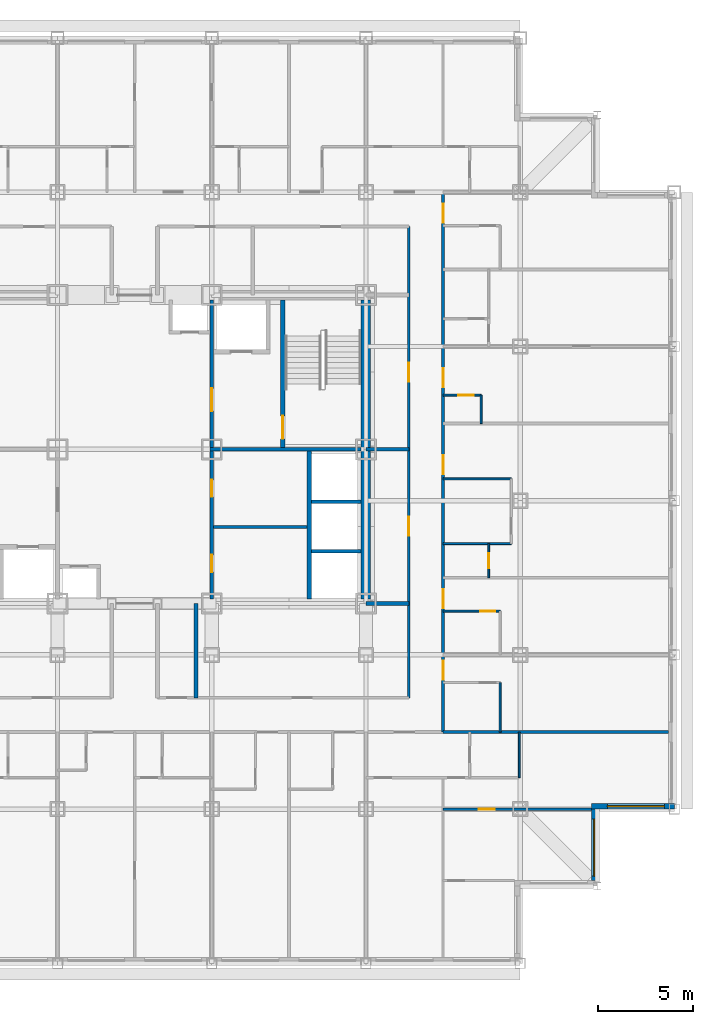
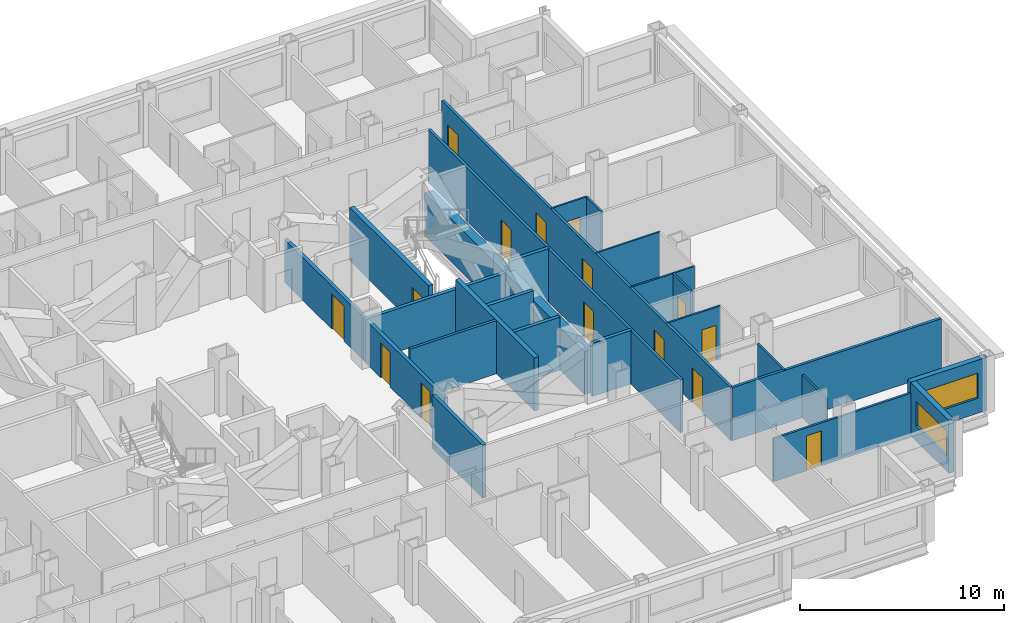
# One storey, part 8 of 13: 26 walls, 15 doors, 2 windows, 17 openings.
"""IFC4 building model written with IfcOpenShell, lengths in metres."""

from ifc_helpers import new_model, si_unit, direction, frame, frame_2d, origin, place, context, subcontext, project, spatial, rectangle, extrude, material, layer, layer_set, type_object, element, fill, save


model = new_model("IFC4")

# Units and contexts
model_context = context("Model", 3, precision=1e-05, world=origin(), true_north=direction((0.0, 1.0)))
body_context = subcontext(model_context, "Body", "Model", "MODEL_VIEW")
ifc_project = project(units=[si_unit("LENGTHUNIT", "METRE"), si_unit("AREAUNIT", "SQUARE_METRE"), si_unit("VOLUMEUNIT", "CUBIC_METRE"), si_unit("PLANEANGLEUNIT", "RADIAN"), si_unit("MASSUNIT", "GRAM", prefix="KILO")], contexts=[model_context])

# Site, building, storey
site_placement = place(None, origin())
site = spatial("IfcSite", under=ifc_project, at=site_placement, CompositionType="ELEMENT")
building_placement = place(site_placement, origin())
building = spatial("IfcBuilding", under=site, at=building_placement, Name="Kopane Lantern Tower", CompositionType="ELEMENT")
storey_placement = place(building_placement, frame((0.0, 0.0, 134.0)))
storey = spatial("IfcBuildingStorey", under=building, at=storey_placement, Name="L34", CompositionType="ELEMENT", Elevation=134.0)

# Wall, opening, door
ifc_material_1 = material(Name="Gypsum board on steel studs", Category="steel")
ifc_layer_1 = layer(ifc_material_1, 0.1201171875)
ifc_layer_set_1 = layer_set([ifc_layer_1], Name="APARTMENT INTERNAL WALL 120")
wall_type_1 = type_object("IfcWallType", Name="APARTMENT INTERNAL WALL 120", PredefinedType="PARTITIONING", material=ifc_layer_set_1)
wall_1_placement = place(storey_placement, frame((44.550048828125, 13.5, 0.0), z_axis=(0.0, 0.0, 1.0), x_axis=(1.0, 0.0, 0.0)))
wall_1 = element("IfcWall", 1, at=wall_1_placement, inside=storey, type_object=wall_type_1, Name="Apartment Internal Wall 120 L34", PredefinedType="PARTITIONING", context=body_context, shape_type="SweptSolid", body=[
    extrude(rectangle(XDim=7.800048828125, YDim=0.1201171875, at=frame_2d((3.89990234375, 0.0))), origin(), (0.0, 0.0, 1.0), 2.577880859375),
])
opening_1_placement = place(wall_1_placement, frame((1.875, 0.0, 0.0)))
opening_1 = element("IfcOpeningElement", 2, at=opening_1_placement, cuts=wall_1, Name="Opening L34-079", PredefinedType="OPENING", context=body_context, shape_type="SweptSolid", body=[
    extrude(rectangle(XDim=0.85009765625, YDim=2.10009765625, at=frame_2d((0.425048828125, 1.050048828125))), frame((0.0, 0.070068359375, 0.0), z_axis=(0.0, -1.0, 0.0), x_axis=(1.0, 0.0, 0.0)), (0.0, 0.0, 1.0), 0.14013671875),
])
ifc_material_2 = material(Name="Timber door set", Category="wood")
door_type_1 = type_object("IfcDoorType", Name="DOOR D4 850x2100", OperationType="SINGLE_SWING_LEFT", PredefinedType="DOOR", material=ifc_material_2)
door_1_placement = place(opening_1_placement, origin())
door_1 = element("IfcDoor", 3, at=door_1_placement, inside=storey, type_object=door_type_1, Name="Door L34-079", OperationType="SINGLE_SWING_LEFT", OverallHeight=2.10009765625, OverallWidth=0.85009765625, PredefinedType="DOOR", context=body_context, shape_type="SweptSolid", body=[
    extrude(rectangle(XDim=0.85009765625, YDim=2.10009765625, at=frame_2d((0.425048828125, 1.050048828125))), frame((0.0, 0.02490234375, 0.0), z_axis=(0.0, -1.0, 0.0), x_axis=(1.0, 0.0, 0.0)), (0.0, 0.0, 1.0), 0.050048828125),
])
fill(opening_1, door_1)

# Wall
ifc_material_3 = material(Name="Moisture-resistant board on steel studs", Category="steel")
ifc_layer_2 = layer(ifc_material_3, 0.10009765625)
ifc_layer_set_2 = layer_set([ifc_layer_2], Name="BATHROOM WALL 100")
wall_type_2 = type_object("IfcWallType", Name="BATHROOM WALL 100", PredefinedType="PARTITIONING", material=ifc_layer_set_2)
wall_2_placement = place(storey_placement, frame((47.550048828125, 17.550048828125, 0.0), z_axis=(0.0, 0.0, 1.0), x_axis=(0.0, 1.0, 0.0)))
element("IfcWall", 4, at=wall_2_placement, inside=storey, type_object=wall_type_2, Name="Bathroom Wall 100 L34", PredefinedType="PARTITIONING", context=body_context, shape_type="SweptSolid", body=[
    extrude(rectangle(XDim=2.599853515625, YDim=0.10009765625, at=frame_2d((1.2998046875, 0.0))), origin(), (0.0, 0.0, 1.0), 3.18994140625),
])

# Wall, opening, door
wall_3_placement = place(storey_placement, frame((44.550048828125, 23.89990234375, 0.0), z_axis=(0.0, 0.0, 1.0), x_axis=(1.0, 0.0, 0.0)))
wall_3 = element("IfcWall", 5, at=wall_3_placement, inside=storey, type_object=wall_type_2, Name="Bathroom Wall 100 L34", PredefinedType="PARTITIONING", context=body_context, shape_type="SweptSolid", body=[
    extrude(rectangle(XDim=3.0, YDim=0.10009765625, at=frame_2d((1.5, 0.0))), origin(), (0.0, 0.0, 1.0), 3.18994140625),
])
opening_2_placement = place(wall_3_placement, frame((1.949951171875, 0.0, 0.0)))
opening_2 = element("IfcOpeningElement", 6, at=opening_2_placement, cuts=wall_3, Name="Opening L34-059", PredefinedType="OPENING", context=body_context, shape_type="SweptSolid", body=[
    extrude(rectangle(XDim=0.800048828125, YDim=2.10009765625, at=frame_2d((0.39990234375, 1.050048828125))), frame((0.0, 0.06005859375, 0.0), z_axis=(0.0, -1.0, 0.0), x_axis=(1.0, 0.0, 0.0)), (0.0, 0.0, 1.0), 0.1201171875),
])
ifc_material_4 = material(Name="Timber door set", Category="wood")
door_type_2 = type_object("IfcDoorType", Name="DOOR D2 800x2100", OperationType="SINGLE_SWING_LEFT", PredefinedType="DOOR", material=ifc_material_4)
door_2_placement = place(opening_2_placement, origin())
door_2 = element("IfcDoor", 7, at=door_2_placement, inside=storey, type_object=door_type_2, Name="Door L34-059", OperationType="SINGLE_SWING_LEFT", OverallHeight=2.10009765625, OverallWidth=0.800048828125, PredefinedType="DOOR", context=body_context, shape_type="SweptSolid", body=[
    extrude(rectangle(XDim=0.800048828125, YDim=2.10009765625, at=frame_2d((0.39990234375, 1.050048828125))), frame((0.0, 0.02490234375, 0.0), z_axis=(0.0, -1.0, 0.0), x_axis=(1.0, 0.0, 0.0)), (0.0, 0.0, 1.0), 0.050048828125),
])
fill(opening_2, door_2)

wall_4_placement = place(storey_placement, frame((46.949951171875, 25.64990234375, 0.0), z_axis=(0.0, 0.0, 1.0), x_axis=(0.0, 1.0, 0.0)))
wall_4 = element("IfcWall", 8, at=wall_4_placement, inside=storey, type_object=wall_type_2, Name="Bathroom Wall 100 L34", PredefinedType="PARTITIONING", context=body_context, shape_type="SweptSolid", body=[
    extrude(rectangle(XDim=1.800048828125, YDim=0.10009765625, at=frame_2d((0.89990234375, 0.0))), origin(), (0.0, 0.0, 1.0), 3.18994140625),
])
opening_3_placement = place(wall_4_placement, frame((0.5, 0.0, 0.0)))
opening_3 = element("IfcOpeningElement", 9, at=opening_3_placement, cuts=wall_4, Name="Opening L34-062", PredefinedType="OPENING", context=body_context, shape_type="SweptSolid", body=[
    extrude(rectangle(XDim=0.800048828125, YDim=2.10009765625, at=frame_2d((0.39990234375, 1.050048828125))), frame((0.0, 0.06005859375, 0.0), z_axis=(0.0, -1.0, 0.0), x_axis=(1.0, 0.0, 0.0)), (0.0, 0.0, 1.0), 0.1201171875),
])
door_3_placement = place(opening_3_placement, origin())
door_3 = element("IfcDoor", 10, at=door_3_placement, inside=storey, type_object=door_type_2, Name="Door L34-062", OperationType="SINGLE_SWING_RIGHT", OverallHeight=2.10009765625, OverallWidth=0.800048828125, PredefinedType="DOOR", context=body_context, shape_type="SweptSolid", body=[
    extrude(rectangle(XDim=0.800048828125, YDim=2.10009765625, at=frame_2d((0.39990234375, 1.050048828125))), frame((0.0, 0.02490234375, 0.0), z_axis=(0.0, -1.0, 0.0), x_axis=(1.0, 0.0, 0.0)), (0.0, 0.0, 1.0), 0.050048828125),
])
fill(opening_3, door_3)

# Walls
for number, where, z_axis, x_axis, name in (
    (11, (44.550048828125, 27.449951171875, 0.0), (0.0, 0.0, 1.0), (1.0, 0.0, 0.0), "Bathroom Wall 100 L34"),
    (12, (44.550048828125, 30.85009765625, 0.0), (0.0, 0.0, 1.0), (1.0, 0.0, 0.0), "Bathroom Wall 100 L34"),
):
    element("IfcWall", number, at=place(storey_placement, frame(where, z_axis=z_axis, x_axis=x_axis)), inside=storey, type_object=wall_type_2, Name=name, PredefinedType="PARTITIONING", context=body_context, shape_type="SweptSolid", body=[
        extrude(rectangle(XDim=3.58984375, YDim=0.10009765625, at=frame_2d((1.794921875, 0.0))), origin(), (0.0, 0.0, 1.0), 3.18994140625),
    ])
wall_5_placement = place(storey_placement, frame((46.550048828125, 33.75, 0.0), z_axis=(0.0, 0.0, 1.0), x_axis=(0.0, 1.0, 0.0)))
element("IfcWall", 13, at=wall_5_placement, inside=storey, type_object=wall_type_2, Name="Bathroom Wall 100 L34", PredefinedType="PARTITIONING", context=body_context, shape_type="SweptSolid", body=[
    extrude(rectangle(XDim=1.5, YDim=0.10009765625, at=frame_2d((0.75, 0.0))), origin(), (0.0, 0.0, 1.0), 3.18994140625),
])

# Wall, opening, door
wall_6_placement = place(storey_placement, frame((44.550048828125, 35.25, 0.0), z_axis=(0.0, 0.0, 1.0), x_axis=(1.0, 0.0, 0.0)))
wall_6 = element("IfcWall", 14, at=wall_6_placement, inside=storey, type_object=wall_type_2, Name="Bathroom Wall 100 L34", PredefinedType="PARTITIONING", context=body_context, shape_type="SweptSolid", body=[
    extrude(rectangle(XDim=2.0, YDim=0.10009765625, at=frame_2d((1.0, 0.0))), origin(), (0.0, 0.0, 1.0), 3.18994140625),
])
opening_4_placement = place(wall_6_placement, frame((0.800048828125, 0.0, 0.0)))
opening_4 = element("IfcOpeningElement", 15, at=opening_4_placement, cuts=wall_6, Name="Opening L34-064", PredefinedType="OPENING", context=body_context, shape_type="SweptSolid", body=[
    extrude(rectangle(XDim=0.800048828125, YDim=2.10009765625, at=frame_2d((0.39990234375, 1.050048828125))), frame((0.0, 0.06005859375, 0.0), z_axis=(0.0, -1.0, 0.0), x_axis=(1.0, 0.0, 0.0)), (0.0, 0.0, 1.0), 0.1201171875),
])
door_4_placement = place(opening_4_placement, origin())
door_4 = element("IfcDoor", 16, at=door_4_placement, inside=storey, type_object=door_type_2, Name="Door L34-064", OperationType="SINGLE_SWING_LEFT", OverallHeight=2.10009765625, OverallWidth=0.800048828125, PredefinedType="DOOR", context=body_context, shape_type="SweptSolid", body=[
    extrude(rectangle(XDim=0.800048828125, YDim=2.10009765625, at=frame_2d((0.39990234375, 1.050048828125))), frame((0.0, 0.02490234375, 0.0), z_axis=(0.0, -1.0, 0.0), x_axis=(1.0, 0.0, 0.0)), (0.0, 0.0, 1.0), 0.050048828125),
])
fill(opening_4, door_4)

# Walls
wall_7_placement = place(storey_placement, frame((48.550048828125, 17.550048828125, 0.0), z_axis=(0.0, 0.0, 1.0), x_axis=(0.0, -1.0, 0.0)))
element("IfcWall", 17, at=wall_7_placement, inside=storey, type_object=wall_type_2, Name="Bathroom Wall 100 L34", PredefinedType="PARTITIONING", context=body_context, shape_type="SweptSolid", body=[
    extrude(rectangle(XDim=2.400146484375, YDim=0.10009765625, at=frame_2d((1.2001953125, 0.0))), origin(), (0.0, 0.0, 1.0), 2.577880859375),
])
ifc_material_5 = material(Name="Gypsum shaft wall EI 120", Category="gypsum")
ifc_layer_3 = layer(ifc_material_5, 0.5)
ifc_layer_set_3 = layer_set([ifc_layer_3], Name="CORE PERIMETER WALL 500 EI 120")
wall_type_3 = type_object("IfcWallType", Name="CORE PERIMETER WALL 500 EI 120", PredefinedType="SOLIDWALL", material=ifc_layer_set_3)
wall_8_placement = place(storey_placement, frame((40.5, 24.550048828125, 0.0), z_axis=(0.0, 0.0, 1.0), x_axis=(0.0, 1.0, 0.0)))
element("IfcWall", 18, at=wall_8_placement, inside=storey, type_object=wall_type_3, Name="Core shaft wall L34 PE", PredefinedType="SOLIDWALL", context=body_context, shape_type="SweptSolid", body=[
    extrude(rectangle(XDim=15.699951171875, YDim=0.5, at=frame_2d((7.85009765625, 0.0))), origin(), (0.0, 0.0, 1.0), 2.577880859375),
])
ifc_material_6 = material(Name="Gypsum partition EI 60", Category="gypsum")
ifc_layer_4 = layer(ifc_material_6, 0.14990234375)
ifc_layer_set_4 = layer_set([ifc_layer_4], Name="CORE ROOM PARTITION 150 EI 60")
wall_type_4 = type_object("IfcWallType", Name="CORE ROOM PARTITION 150 EI 60", PredefinedType="PARTITIONING", material=ifc_layer_set_4)
wall_9_placement = place(storey_placement, frame((32.5, 28.324951171875, 0.0), z_axis=(0.0, 0.0, 1.0), x_axis=(1.0, 0.0, 0.0)))
element("IfcWall", 19, at=wall_9_placement, inside=storey, type_object=wall_type_4, Name="Core room partition L34 E1", PredefinedType="PARTITIONING", context=body_context, shape_type="SweptSolid", body=[
    extrude(rectangle(XDim=4.89990234375, YDim=0.14990234375, at=frame_2d((2.449951171875, 0.0))), origin(), (0.0, 0.0, 1.0), 3.18994140625),
])

# Wall, openings, doors
ifc_material_7 = material(Name="Gypsum partition EI 60", Category="gypsum")
ifc_layer_5 = layer(ifc_material_7, 0.199951171875)
ifc_layer_set_5 = layer_set([ifc_layer_5], Name="CORE ROOM WALL 200 EI 60")
wall_type_5 = type_object("IfcWallType", Name="CORE ROOM WALL 200 EI 60", PredefinedType="PARTITIONING", material=ifc_layer_set_5)
wall_10_placement = place(storey_placement, frame((32.39990234375, 24.550048828125, 0.0), z_axis=(0.0, 0.0, 1.0), x_axis=(0.0, 1.0, 0.0)))
wall_10 = element("IfcWall", 20, at=wall_10_placement, inside=storey, type_object=wall_type_5, Name="Core room wall L34 XE", PredefinedType="PARTITIONING", context=body_context, shape_type="SweptSolid", body=[
    extrude(rectangle(XDim=7.75, YDim=0.199951171875, at=frame_2d((3.875, 0.0))), origin(), (0.0, 0.0, 1.0), 2.577880859375),
])
opening_5_placement = place(wall_10_placement, frame((1.39990234375, 0.0, 0.0)))
opening_5 = element("IfcOpeningElement", 21, at=opening_5_placement, cuts=wall_10, Name="Opening 34.C20", PredefinedType="OPENING", context=body_context, shape_type="SweptSolid", body=[
    extrude(rectangle(XDim=0.89990234375, YDim=2.10009765625, at=frame_2d((0.449951171875, 1.050048828125))), frame((0.0, 0.10986328125, 0.0), z_axis=(0.0, -1.0, 0.0), x_axis=(1.0, 0.0, 0.0)), (0.0, 0.0, 1.0), 0.219970703125),
])
opening_6_placement = place(wall_10_placement, frame((5.35009765625, 0.0, 0.0)))
opening_6 = element("IfcOpeningElement", 22, at=opening_6_placement, cuts=wall_10, Name="Opening 34.C21", PredefinedType="OPENING", context=body_context, shape_type="SweptSolid", body=[
    extrude(rectangle(XDim=0.89990234375, YDim=2.10009765625, at=frame_2d((0.449951171875, 1.050048828125))), frame((0.0, 0.10986328125, 0.0), z_axis=(0.0, -1.0, 0.0), x_axis=(1.0, 0.0, 0.0)), (0.0, 0.0, 1.0), 0.219970703125),
])
ifc_material_8 = material(Name="Steel door set", Category="steel")
door_type_3 = type_object("IfcDoorType", Name="CORE ROOM DOOR 900x2100 FD60", OperationType="SINGLE_SWING_LEFT", PredefinedType="DOOR", material=ifc_material_8)
door_5_placement = place(opening_5_placement, origin())
door_5 = element("IfcDoor", 23, at=door_5_placement, inside=storey, type_object=door_type_3, Name="Door Linen store L34", OperationType="SINGLE_SWING_LEFT", OverallHeight=2.10009765625, OverallWidth=0.89990234375, PredefinedType="DOOR", context=body_context, shape_type="SweptSolid", body=[
    extrude(rectangle(XDim=0.89990234375, YDim=2.10009765625, at=frame_2d((0.449951171875, 1.050048828125))), frame((0.0, 0.02490234375, 0.0), z_axis=(0.0, -1.0, 0.0), x_axis=(1.0, 0.0, 0.0)), (0.0, 0.0, 1.0), 0.050048828125),
])
fill(opening_5, door_5)
door_6_placement = place(opening_6_placement, origin())
door_6 = element("IfcDoor", 24, at=door_6_placement, inside=storey, type_object=door_type_3, Name="Door Housekeeping store L34", OperationType="SINGLE_SWING_LEFT", OverallHeight=2.10009765625, OverallWidth=0.89990234375, PredefinedType="DOOR", context=body_context, shape_type="SweptSolid", body=[
    extrude(rectangle(XDim=0.89990234375, YDim=2.10009765625, at=frame_2d((0.449951171875, 1.050048828125))), frame((0.0, 0.02490234375, 0.0), z_axis=(0.0, -1.0, 0.0), x_axis=(1.0, 0.0, 0.0)), (0.0, 0.0, 1.0), 0.050048828125),
])
fill(opening_6, door_6)

# Wall
ifc_material_9 = material(Name="Gypsum shaft wall EI 120", Category="gypsum")
ifc_layer_6 = layer(ifc_material_9, 0.25)
ifc_layer_set_6 = layer_set([ifc_layer_6], Name="CORE SHAFT WALL 250 EI 120")
wall_type_6 = type_object("IfcWallType", Name="CORE SHAFT WALL 250 EI 120", PredefinedType="SOLIDWALL", material=ifc_layer_set_6)
wall_11_placement = place(storey_placement, frame((37.52490234375, 24.550048828125, 0.0), z_axis=(0.0, 0.0, 1.0), x_axis=(0.0, 1.0, 0.0)))
element("IfcWall", 25, at=wall_11_placement, inside=storey, type_object=wall_type_6, Name="Core shaft wall L34 XLR", PredefinedType="SOLIDWALL", context=body_context, shape_type="SweptSolid", body=[
    extrude(rectangle(XDim=7.75, YDim=0.25, at=frame_2d((3.875, 0.0))), origin(), (0.0, 0.0, 1.0), 3.18994140625),
])

# Wall, opening, door
wall_12_placement = place(storey_placement, frame((36.125, 32.5, 0.0), z_axis=(0.0, 0.0, 1.0), x_axis=(0.0, 1.0, 0.0)))
wall_12 = element("IfcWall", 26, at=wall_12_placement, inside=storey, type_object=wall_type_6, Name="Core shaft wall L34 XST2", PredefinedType="SOLIDWALL", context=body_context, shape_type="SweptSolid", body=[
    extrude(rectangle(XDim=7.75, YDim=0.25, at=frame_2d((3.875, 0.0))), origin(), (0.0, 0.0, 1.0), 3.18994140625),
])
opening_7_placement = place(wall_12_placement, frame((0.449951171875, 0.0, 0.0)))
opening_7 = element("IfcOpeningElement", 27, at=opening_7_placement, cuts=wall_12, Name="Opening 34.SD2", PredefinedType="OPENING", context=body_context, shape_type="SweptSolid", body=[
    extrude(rectangle(XDim=1.199951171875, YDim=2.10009765625, at=frame_2d((0.60009765625, 1.050048828125))), frame((0.0, 0.135009765625, 0.0), z_axis=(0.0, -1.0, 0.0), x_axis=(1.0, 0.0, 0.0)), (0.0, 0.0, 1.0), 0.27001953125),
])
ifc_material_10 = material(Name="Steel door set", Category="steel")
door_type_4 = type_object("IfcDoorType", Name="STAIR DOOR 1200x2100 FD60S", OperationType="SINGLE_SWING_LEFT", PredefinedType="DOOR", material=ifc_material_10)
door_7_placement = place(opening_7_placement, origin())
door_7 = element("IfcDoor", 28, at=door_7_placement, inside=storey, type_object=door_type_4, Name="Stair door ST2 L34", OperationType="SINGLE_SWING_RIGHT", OverallHeight=2.10009765625, OverallWidth=1.199951171875, PredefinedType="DOOR", context=body_context, shape_type="SweptSolid", body=[
    extrude(rectangle(XDim=1.199951171875, YDim=2.10009765625, at=frame_2d((0.60009765625, 1.050048828125))), frame((0.0, 0.02490234375, 0.0), z_axis=(0.0, -1.0, 0.0), x_axis=(1.0, 0.0, 0.0)), (0.0, 0.0, 1.0), 0.050048828125),
])
fill(opening_7, door_7)

# Wall, openings, doors
ifc_material_11 = material(Name="Gypsum board on steel studs", Category="steel")
ifc_layer_7 = layer(ifc_material_11, 0.14990234375)
ifc_layer_set_7 = layer_set([ifc_layer_7], Name="CORRIDOR WALL 150 EI 60")
wall_type_7 = type_object("IfcWallType", Name="CORRIDOR WALL 150 EI 60", PredefinedType="PARTITIONING", material=ifc_layer_set_7)
wall_13_placement = place(storey_placement, frame((44.550048828125, 17.550048828125, 0.0), z_axis=(0.0, 0.0, 1.0), x_axis=(0.0, 1.0, 0.0)))
wall_13 = element("IfcWall", 29, at=wall_13_placement, inside=storey, type_object=wall_type_7, Name="Corridor Wall 150 Ei 60 L34", PredefinedType="PARTITIONING", context=body_context, shape_type="SweptSolid", body=[
    extrude(rectangle(XDim=28.349853515625, YDim=0.14990234375, at=frame_2d((14.1748046875, 0.0))), origin(), (0.0, 0.0, 1.0), 3.18994140625),
])
opening_8_placement = place(wall_13_placement, frame((2.75, 0.0, 0.0)))
opening_8 = element("IfcOpeningElement", 30, at=opening_8_placement, cuts=wall_13, Name="Opening L34-058", PredefinedType="OPENING", context=body_context, shape_type="SweptSolid", body=[
    extrude(rectangle(XDim=1.0, YDim=2.10009765625, at=frame_2d((0.5, 1.050048828125))), frame((0.0, 0.0849609375, 0.0), z_axis=(0.0, -1.0, 0.0), x_axis=(1.0, 0.0, 0.0)), (0.0, 0.0, 1.0), 0.169921875),
])
opening_9_placement = place(wall_13_placement, frame((6.5, 0.0, 0.0)))
opening_9 = element("IfcOpeningElement", 31, at=opening_9_placement, cuts=wall_13, Name="Opening L34-060", PredefinedType="OPENING", context=body_context, shape_type="SweptSolid", body=[
    extrude(rectangle(XDim=1.0, YDim=2.10009765625, at=frame_2d((0.5, 1.050048828125))), frame((0.0, 0.0849609375, 0.0), z_axis=(0.0, -1.0, 0.0), x_axis=(1.0, 0.0, 0.0)), (0.0, 0.0, 1.0), 0.169921875),
])
opening_10_placement = place(wall_13_placement, frame((13.550048828125, 0.0, 0.0)))
opening_10 = element("IfcOpeningElement", 32, at=opening_10_placement, cuts=wall_13, Name="Opening L34-063", PredefinedType="OPENING", context=body_context, shape_type="SweptSolid", body=[
    extrude(rectangle(XDim=1.0, YDim=2.10009765625, at=frame_2d((0.5, 1.050048828125))), frame((0.0, 0.0849609375, 0.0), z_axis=(0.0, -1.0, 0.0), x_axis=(1.0, 0.0, 0.0)), (0.0, 0.0, 1.0), 0.169921875),
])
opening_11_placement = place(wall_13_placement, frame((18.10009765625, 0.0, 0.0)))
opening_11 = element("IfcOpeningElement", 33, at=opening_11_placement, cuts=wall_13, Name="Opening L34-065", PredefinedType="OPENING", context=body_context, shape_type="SweptSolid", body=[
    extrude(rectangle(XDim=1.0, YDim=2.10009765625, at=frame_2d((0.5, 1.050048828125))), frame((0.0, 0.0849609375, 0.0), z_axis=(0.0, -1.0, 0.0), x_axis=(1.0, 0.0, 0.0)), (0.0, 0.0, 1.0), 0.169921875),
])
opening_12_placement = place(wall_13_placement, frame((26.75, 0.0, 0.0)))
opening_12 = element("IfcOpeningElement", 34, at=opening_12_placement, cuts=wall_13, Name="Opening L34-069", PredefinedType="OPENING", context=body_context, shape_type="SweptSolid", body=[
    extrude(rectangle(XDim=1.0, YDim=2.10009765625, at=frame_2d((0.5, 1.050048828125))), frame((0.0, 0.0849609375, 0.0), z_axis=(0.0, -1.0, 0.0), x_axis=(1.0, 0.0, 0.0)), (0.0, 0.0, 1.0), 0.169921875),
])
ifc_material_12 = material(Name="Steel door set", Category="steel")
door_type_5 = type_object("IfcDoorType", Name="DOOR D1 1000x2100 FD30S", OperationType="SINGLE_SWING_LEFT", PredefinedType="DOOR", material=ifc_material_12)
door_8_placement = place(opening_8_placement, origin())
door_8 = element("IfcDoor", 35, at=door_8_placement, inside=storey, type_object=door_type_5, Name="Door L34-058", OperationType="SINGLE_SWING_RIGHT", OverallHeight=2.10009765625, OverallWidth=1.0, PredefinedType="DOOR", context=body_context, shape_type="SweptSolid", body=[
    extrude(rectangle(XDim=1.0, YDim=2.10009765625, at=frame_2d((0.5, 1.050048828125))), frame((0.0, 0.02490234375, 0.0), z_axis=(0.0, -1.0, 0.0), x_axis=(1.0, 0.0, 0.0)), (0.0, 0.0, 1.0), 0.050048828125),
])
fill(opening_8, door_8)
door_9_placement = place(opening_9_placement, origin())
door_9 = element("IfcDoor", 36, at=door_9_placement, inside=storey, type_object=door_type_5, Name="Door L34-060", OperationType="SINGLE_SWING_RIGHT", OverallHeight=2.10009765625, OverallWidth=1.0, PredefinedType="DOOR", context=body_context, shape_type="SweptSolid", body=[
    extrude(rectangle(XDim=1.0, YDim=2.10009765625, at=frame_2d((0.5, 1.050048828125))), frame((0.0, 0.02490234375, 0.0), z_axis=(0.0, -1.0, 0.0), x_axis=(1.0, 0.0, 0.0)), (0.0, 0.0, 1.0), 0.050048828125),
])
fill(opening_9, door_9)
door_10_placement = place(opening_10_placement, origin())
door_10 = element("IfcDoor", 37, at=door_10_placement, inside=storey, type_object=door_type_5, Name="Door L34-063", OperationType="SINGLE_SWING_RIGHT", OverallHeight=2.10009765625, OverallWidth=1.0, PredefinedType="DOOR", context=body_context, shape_type="SweptSolid", body=[
    extrude(rectangle(XDim=1.0, YDim=2.10009765625, at=frame_2d((0.5, 1.050048828125))), frame((0.0, 0.02490234375, 0.0), z_axis=(0.0, -1.0, 0.0), x_axis=(1.0, 0.0, 0.0)), (0.0, 0.0, 1.0), 0.050048828125),
])
fill(opening_10, door_10)
door_11_placement = place(opening_11_placement, origin())
door_11 = element("IfcDoor", 38, at=door_11_placement, inside=storey, type_object=door_type_5, Name="Door L34-065", OperationType="SINGLE_SWING_RIGHT", OverallHeight=2.10009765625, OverallWidth=1.0, PredefinedType="DOOR", context=body_context, shape_type="SweptSolid", body=[
    extrude(rectangle(XDim=1.0, YDim=2.10009765625, at=frame_2d((0.5, 1.050048828125))), frame((0.0, 0.02490234375, 0.0), z_axis=(0.0, -1.0, 0.0), x_axis=(1.0, 0.0, 0.0)), (0.0, 0.0, 1.0), 0.050048828125),
])
fill(opening_11, door_11)
door_12_placement = place(opening_12_placement, origin())
door_12 = element("IfcDoor", 39, at=door_12_placement, inside=storey, type_object=door_type_5, Name="Door L34-069", OperationType="SINGLE_SWING_RIGHT", OverallHeight=2.10009765625, OverallWidth=1.0, PredefinedType="DOOR", context=body_context, shape_type="SweptSolid", body=[
    extrude(rectangle(XDim=1.0, YDim=2.10009765625, at=frame_2d((0.5, 1.050048828125))), frame((0.0, 0.02490234375, 0.0), z_axis=(0.0, -1.0, 0.0), x_axis=(1.0, 0.0, 0.0)), (0.0, 0.0, 1.0), 0.050048828125),
])
fill(opening_12, door_12)

wall_14_placement = place(storey_placement, frame((42.75, 19.35009765625, 0.0), z_axis=(0.0, 0.0, 1.0), x_axis=(0.0, 1.0, 0.0)))
wall_14 = element("IfcWall", 40, at=wall_14_placement, inside=storey, type_object=wall_type_7, Name="Corridor Wall 150 Ei 60 L34", PredefinedType="PARTITIONING", context=body_context, shape_type="SweptSolid", body=[
    extrude(rectangle(XDim=24.75, YDim=0.14990234375, at=frame_2d((12.375, 0.0))), origin(), (0.0, 0.0, 1.0), 3.18994140625),
])
opening_13_placement = place(wall_14_placement, frame((8.5, 0.0, 0.0)))
opening_13 = element("IfcOpeningElement", 41, at=opening_13_placement, cuts=wall_14, Name="Opening L34-005", PredefinedType="OPENING", context=body_context, shape_type="SweptSolid", body=[
    extrude(rectangle(XDim=1.0, YDim=2.10009765625, at=frame_2d((0.5, 1.050048828125))), frame((0.0, 0.0849609375, 0.0), z_axis=(0.0, -1.0, 0.0), x_axis=(1.0, 0.0, 0.0)), (0.0, 0.0, 1.0), 0.169921875),
])
opening_14_placement = place(wall_14_placement, frame((16.60009765625, 0.0, 0.0)))
opening_14 = element("IfcOpeningElement", 42, at=opening_14_placement, cuts=wall_14, Name="Opening L34-006", PredefinedType="OPENING", context=body_context, shape_type="SweptSolid", body=[
    extrude(rectangle(XDim=1.0, YDim=2.10009765625, at=frame_2d((0.5, 1.050048828125))), frame((0.0, 0.0849609375, 0.0), z_axis=(0.0, -1.0, 0.0), x_axis=(1.0, 0.0, 0.0)), (0.0, 0.0, 1.0), 0.169921875),
])
ifc_material_13 = material(Name="Steel door set", Category="steel")
door_type_6 = type_object("IfcDoorType", Name="DOOR D5 1000x2100 FD60", OperationType="SINGLE_SWING_LEFT", PredefinedType="DOOR", material=ifc_material_13)
door_13_placement = place(opening_13_placement, origin())
door_13 = element("IfcDoor", 43, at=door_13_placement, inside=storey, type_object=door_type_6, Name="Door L34-005", OperationType="SINGLE_SWING_LEFT", OverallHeight=2.10009765625, OverallWidth=1.0, PredefinedType="DOOR", context=body_context, shape_type="SweptSolid", body=[
    extrude(rectangle(XDim=1.0, YDim=2.10009765625, at=frame_2d((0.5, 1.050048828125))), frame((0.0, 0.02490234375, 0.0), z_axis=(0.0, -1.0, 0.0), x_axis=(1.0, 0.0, 0.0)), (0.0, 0.0, 1.0), 0.050048828125),
])
fill(opening_13, door_13)
door_14_placement = place(opening_14_placement, origin())
door_14 = element("IfcDoor", 44, at=door_14_placement, inside=storey, type_object=door_type_6, Name="Door L34-006", OperationType="SINGLE_SWING_RIGHT", OverallHeight=2.10009765625, OverallWidth=1.0, PredefinedType="DOOR", context=body_context, shape_type="SweptSolid", body=[
    extrude(rectangle(XDim=1.0, YDim=2.10009765625, at=frame_2d((0.5, 1.050048828125))), frame((0.0, 0.02490234375, 0.0), z_axis=(0.0, -1.0, 0.0), x_axis=(1.0, 0.0, 0.0)), (0.0, 0.0, 1.0), 0.050048828125),
])
fill(opening_14, door_14)

# Wall
ifc_material_14 = material(Name="Gypsum board on steel studs", Category="steel")
ifc_layer_8 = layer(ifc_material_14, 0.14990234375)
ifc_layer_set_8 = layer_set([ifc_layer_8], Name="DEMISING WALL 150 EI 60")
wall_type_8 = type_object("IfcWallType", Name="DEMISING WALL 150 EI 60", PredefinedType="PARTITIONING", material=ifc_layer_set_8)
wall_15_placement = place(storey_placement, frame((44.550048828125, 17.550048828125, 0.0), z_axis=(0.0, 0.0, 1.0), x_axis=(1.0, 0.0, 0.0)))
element("IfcWall", 45, at=wall_15_placement, inside=storey, type_object=wall_type_8, Name="Demising Wall 150 Ei 60 L34", PredefinedType="PARTITIONING", context=body_context, shape_type="SweptSolid", body=[
    extrude(rectangle(XDim=11.849853515625, YDim=0.14990234375, at=frame_2d((5.9248046875, 0.0))), origin(), (0.0, 0.0, 1.0), 3.18994140625),
])

# Wall, opening, window
ifc_material_15 = material(Name="Terracotta rainscreen on light steel framing", Category="masonry")
ifc_layer_9 = layer(ifc_material_15, 0.300048828125)
ifc_layer_set_9 = layer_set([ifc_layer_9], Name="EXTERNAL WALL EW1 300 TERRACOTTA")
wall_type_9 = type_object("IfcWallType", Name="EXTERNAL WALL EW1 300 TERRACOTTA", PredefinedType="SOLIDWALL", material=ifc_layer_set_9)
wall_16_placement = place(storey_placement, frame((52.5, 9.75, 0.0), z_axis=(0.0, 0.0, 1.0), x_axis=(0.0, 1.0, 0.0)))
wall_16 = element("IfcWall", 46, at=wall_16_placement, inside=storey, type_object=wall_type_9, Name="External wall E L34", PredefinedType="SOLIDWALL", context=body_context, shape_type="SweptSolid", body=[
    extrude(rectangle(XDim=3.75, YDim=0.300048828125, at=frame_2d((1.875, 0.0))), origin(), (0.0, 0.0, 1.0), 3.18994140625),
])
opening_15_placement = place(wall_16_placement, frame((0.22509765625, 0.0, 0.89990234375)))
opening_15 = element("IfcOpeningElement", 47, at=opening_15_placement, cuts=wall_16, Name="Opening WR300150", PredefinedType="OPENING", context=body_context, shape_type="SweptSolid", body=[
    extrude(rectangle(XDim=3.0, YDim=1.5, at=frame_2d((1.5, 0.75))), frame((0.0, 0.159912109375, 0.0), z_axis=(0.0, -1.0, 0.0), x_axis=(1.0, 0.0, 0.0)), (0.0, 0.0, 1.0), 0.320068359375),
])
ifc_material_16 = material(Name="Aluminium and clear glass", Category="aluminium")
window_type = type_object("IfcWindowType", Name="RIBBON WINDOW WR300150 3000x1500", PartitioningType="SINGLE_PANEL", PredefinedType="WINDOW", material=ifc_material_16)
window_1_placement = place(opening_15_placement, origin())
window_1 = element("IfcWindow", 48, at=window_1_placement, inside=storey, type_object=window_type, Name="Window E L34", OverallHeight=1.5, OverallWidth=3.0, PartitioningType="SINGLE_PANEL", PredefinedType="WINDOW", context=body_context, shape_type="SweptSolid", body=[
    extrude(rectangle(XDim=3.0, YDim=1.5, at=frame_2d((1.5, 0.75))), frame((0.0, 0.030029296875, 0.0), z_axis=(0.0, -1.0, 0.0), x_axis=(1.0, 0.0, 0.0)), (0.0, 0.0, 1.0), 0.06005859375),
])
fill(opening_15, window_1)

wall_17_placement = place(storey_placement, frame((52.35009765625, 13.64990234375, 0.0), z_axis=(0.0, 0.0, 1.0), x_axis=(1.0, 0.0, 0.0)))
wall_17 = element("IfcWall", 49, at=wall_17_placement, inside=storey, type_object=wall_type_9, Name="External wall S L34", PredefinedType="SOLIDWALL", context=body_context, shape_type="SweptSolid", body=[
    extrude(rectangle(XDim=4.349853515625, YDim=0.300048828125, at=frame_2d((2.1748046875, 0.0))), origin(), (0.0, 0.0, 1.0), 3.18994140625),
])
opening_16_placement = place(wall_17_placement, frame((0.824951171875, 0.0, 0.89990234375)))
opening_16 = element("IfcOpeningElement", 50, at=opening_16_placement, cuts=wall_17, Name="Opening WR300150", PredefinedType="OPENING", context=body_context, shape_type="SweptSolid", body=[
    extrude(rectangle(XDim=3.0, YDim=1.5, at=frame_2d((1.5, 0.75))), frame((0.0, 0.159912109375, 0.0), z_axis=(0.0, -1.0, 0.0), x_axis=(1.0, 0.0, 0.0)), (0.0, 0.0, 1.0), 0.320068359375),
])
window_2_placement = place(opening_16_placement, origin())
window_2 = element("IfcWindow", 51, at=window_2_placement, inside=storey, type_object=window_type, Name="Window S L34", OverallHeight=1.5, OverallWidth=3.0, PartitioningType="SINGLE_PANEL", PredefinedType="WINDOW", context=body_context, shape_type="SweptSolid", body=[
    extrude(rectangle(XDim=3.0, YDim=1.5, at=frame_2d((1.5, 0.75))), frame((0.0, 0.030029296875, 0.0), z_axis=(0.0, -1.0, 0.0), x_axis=(1.0, 0.0, 0.0)), (0.0, 0.0, 1.0), 0.06005859375),
])
fill(opening_16, window_2)

# Walls
ifc_material_17 = material(Name="Concrete masonry", Category="masonry")
ifc_layer_10 = layer(ifc_material_17, 0.199951171875)
ifc_layer_set_10 = layer_set([ifc_layer_10], Name="PLANT ROOM WALL 200 EI 120")
wall_type_10 = type_object("IfcWallType", Name="PLANT ROOM WALL 200 EI 120", PredefinedType="SOLIDWALL", material=ifc_layer_set_10)
wall_18_placement = place(storey_placement, frame((40.5, 32.39990234375, 0.0), z_axis=(0.0, 0.0, 1.0), x_axis=(1.0, 0.0, 0.0)))
element("IfcWall", 52, at=wall_18_placement, inside=storey, type_object=wall_type_10, Name="Plant Room Wall 200 Ei 120 L34", PredefinedType="SOLIDWALL", context=body_context, shape_type="SweptSolid", body=[
    extrude(rectangle(XDim=2.25, YDim=0.199951171875, at=frame_2d((1.125, 0.0))), origin(), (0.0, 0.0, 1.0), 3.18994140625),
])
wall_19_placement = place(storey_placement, frame((31.5703125, 19.35009765625, 0.0), z_axis=(0.0, 0.0, 1.0), x_axis=(0.0, 1.0, 0.0)))
element("IfcWall", 53, at=wall_19_placement, inside=storey, type_object=wall_type_10, Name="Plant Room Wall 200 Ei 120 L34", PredefinedType="SOLIDWALL", context=body_context, shape_type="SweptSolid", body=[
    extrude(rectangle(XDim=4.949951171875, YDim=0.199951171875, at=frame_2d((2.47509765625, 0.0))), origin(), (0.0, 0.0, 1.0), 3.18994140625),
])
wall_20_placement = place(storey_placement, frame((40.5, 24.300048828125, 0.0), z_axis=(0.0, 0.0, 1.0), x_axis=(1.0, 0.0, 0.0)))
element("IfcWall", 54, at=wall_20_placement, inside=storey, type_object=wall_type_10, Name="Plant Room Wall 200 Ei 120 L34", PredefinedType="SOLIDWALL", context=body_context, shape_type="SweptSolid", body=[
    extrude(rectangle(XDim=2.25, YDim=0.199951171875, at=frame_2d((1.125, 0.0))), origin(), (0.0, 0.0, 1.0), 3.18994140625),
])
ifc_material_18 = material(Name="Gypsum shaft wall EI 120", Category="gypsum")
ifc_layer_11 = layer(ifc_material_18, 0.199951171875)
ifc_layer_set_11 = layer_set([ifc_layer_11], Name="SHAFT WALL 200 EI 120")
wall_type_11 = type_object("IfcWallType", Name="SHAFT WALL 200 EI 120", PredefinedType="SOLIDWALL", material=ifc_layer_set_11)
wall_21_placement = place(storey_placement, frame((32.300048828125, 32.39990234375, 0.0), z_axis=(0.0, 0.0, 1.0), x_axis=(1.0, 0.0, 0.0)))
element("IfcWall", 55, at=wall_21_placement, inside=storey, type_object=wall_type_11, Name="Core shaft wall L34 Y324E", PredefinedType="SOLIDWALL", context=body_context, shape_type="SweptSolid", body=[
    extrude(rectangle(XDim=7.949951171875, YDim=0.199951171875, at=frame_2d((3.97509765625, 0.0))), origin(), (0.0, 0.0, 1.0), 2.577880859375),
])

# Wall, opening, door
wall_22_placement = place(storey_placement, frame((32.39990234375, 32.5, 0.0), z_axis=(0.0, 0.0, 1.0), x_axis=(0.0, 1.0, 0.0)))
wall_22 = element("IfcWall", 56, at=wall_22_placement, inside=storey, type_object=wall_type_11, Name="Core shaft wall L34 X324", PredefinedType="SOLIDWALL", context=body_context, shape_type="SweptSolid", body=[
    extrude(rectangle(XDim=7.75, YDim=0.199951171875, at=frame_2d((3.875, 0.0))), origin(), (0.0, 0.0, 1.0), 2.577880859375),
])
opening_17_placement = place(wall_22_placement, frame((1.89990234375, 0.0, 0.0)))
opening_17 = element("IfcOpeningElement", 57, at=opening_17_placement, cuts=wall_22, Name="Opening 34.FL2", PredefinedType="OPENING", context=body_context, shape_type="SweptSolid", body=[
    extrude(rectangle(XDim=1.199951171875, YDim=2.10009765625, at=frame_2d((0.60009765625, 1.050048828125))), frame((0.0, 0.10986328125, 0.0), z_axis=(0.0, -1.0, 0.0), x_axis=(1.0, 0.0, 0.0)), (0.0, 0.0, 1.0), 0.219970703125),
])
ifc_material_19 = material(Name="Steel door set", Category="steel")
door_type_7 = type_object("IfcDoorType", Name="FIREFIGHTING LOBBY DOOR 1200x2100 FD60S", OperationType="SINGLE_SWING_RIGHT", PredefinedType="DOOR", material=ifc_material_19)
door_15_placement = place(opening_17_placement, origin())
door_15 = element("IfcDoor", 58, at=door_15_placement, inside=storey, type_object=door_type_7, Name="Firefighting lobby door FL2 L34", OperationType="SINGLE_SWING_LEFT", OverallHeight=2.10009765625, OverallWidth=1.199951171875, PredefinedType="DOOR", context=body_context, shape_type="SweptSolid", body=[
    extrude(rectangle(XDim=1.199951171875, YDim=2.10009765625, at=frame_2d((0.60009765625, 1.050048828125))), frame((0.0, 0.02490234375, 0.0), z_axis=(0.0, -1.0, 0.0), x_axis=(1.0, 0.0, 0.0)), (0.0, 0.0, 1.0), 0.050048828125),
])
fill(opening_17, door_15)

# Walls
for number, where, z_axis, x_axis, name in (
    (59, (37.64990234375, 27.050048828125, 0.0), (0.0, 0.0, 1.0), (1.0, 0.0, 0.0), "Core shaft wall L34 YLR12"),
    (60, (37.64990234375, 29.64990234375, 0.0), (0.0, 0.0, 1.0), (1.0, 0.0, 0.0), "Core shaft wall L34 YLR23"),
):
    element("IfcWall", number, at=place(storey_placement, frame(where, z_axis=z_axis, x_axis=x_axis)), inside=storey, type_object=wall_type_11, Name=name, PredefinedType="SOLIDWALL", context=body_context, shape_type="SweptSolid", body=[
        extrude(rectangle(XDim=2.60009765625, YDim=0.199951171875, at=frame_2d((1.300048828125, 0.0))), origin(), (0.0, 0.0, 1.0), 3.18994140625),
    ])

save(model, "model.ifc")
